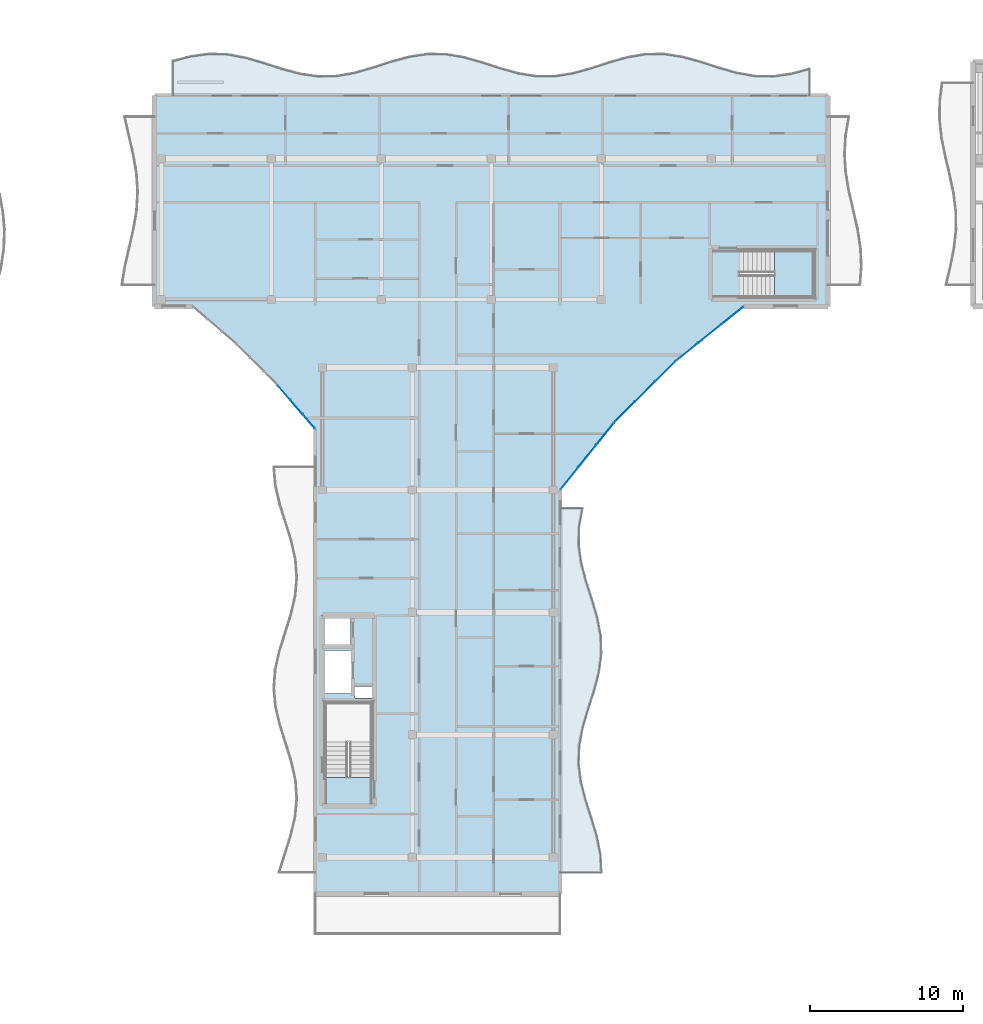
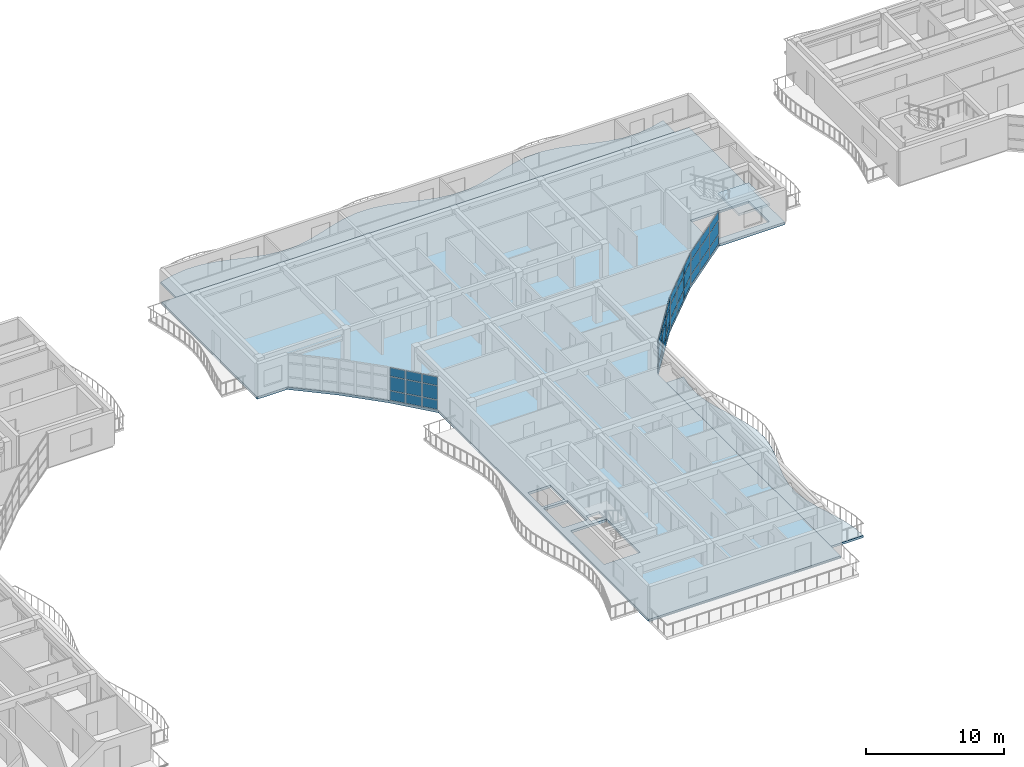
# One storey, part 23 of 49: 36 plates, 4 slabs, 5 elements without a shape of their own.
"""IFC4 building model written with IfcOpenShell, lengths in metres."""

from ifc_helpers import new_model, si_unit, direction, frame, origin, origin_2d, place, context, subcontext, project, spatial, polyline, rectangle, outline, extrude, material, layer, layer_set, type_object, element, aggregate, save


model = new_model("IFC4")

# Units and contexts
model_context = context("Model", 3, precision=1e-05, world=origin(), true_north=direction((0.0, 1.0)))
body_context = subcontext(model_context, "Body", "Model", "MODEL_VIEW")
ifc_project = project(units=[si_unit("LENGTHUNIT", "METRE"), si_unit("AREAUNIT", "SQUARE_METRE"), si_unit("VOLUMEUNIT", "CUBIC_METRE"), si_unit("PLANEANGLEUNIT", "RADIAN"), si_unit("MASSUNIT", "GRAM", prefix="KILO")], contexts=[model_context])

# Site, building, storey
site_placement = place(None, origin())
site = spatial("IfcSite", under=ifc_project, at=site_placement, CompositionType="ELEMENT")
building_placement = place(site_placement, origin())
building = spatial("IfcBuilding", under=site, at=building_placement, Name="Keldmere Railside Commons", CompositionType="ELEMENT")
storey_placement = place(building_placement, frame((0.0, 0.0, 29.760009765625)))
storey = spatial("IfcBuildingStorey", under=building, at=storey_placement, Name="L09", CompositionType="ELEMENT", Elevation=29.760009765625)

# Curtain wall, plates
ifc_material_1 = material(Name="Thermally Broken Aluminium", Category="aluminium")
ifc_layer_1 = layer(ifc_material_1, 0.159912109375, Name="Court Chord Wintergarden CW 4800x2850")
ifc_layer_set_1 = layer_set([ifc_layer_1], Name="Thermally Broken Aluminium")
curtain_wall_type_1 = type_object("IfcCurtainWallType", Name="Court Chord Wintergarden CW 4800x2850", PredefinedType="NOTDEFINED", material=ifc_layer_set_1)
curtain_wall_1_placement = place(storey_placement, origin())
curtain_wall_1 = element("IfcCurtainWall", 1, at=curtain_wall_1_placement, inside=storey, type_object=curtain_wall_type_1, Name="CW-12 CW-L09-139", PredefinedType="NOTDEFINED")
ifc_material_2 = material(Name="Low-E Insulated Double Glazing", Category="glass")
ifc_layer_2 = layer(ifc_material_2, 0.033935546875, Name="Acoustic Laminated Vision Panel 34")
ifc_layer_set_2 = layer_set([ifc_layer_2], Name="Low-E Insulated Double Glazing")
plate_type_1 = type_object("IfcPlateType", Name="Acoustic Laminated Vision Panel 34", PredefinedType="CURTAIN_PANEL", material=ifc_layer_set_2)
plate_1_placement = place(storey_placement, frame((122.951416015625, 91.678955078125, 0.06494140625), z_axis=(0.0, 0.0, 1.0), x_axis=(-0.625768080915, -0.780009172323, 0.0)))
plate_1 = element("IfcPlate", 2, at=plate_1_placement, type_object=plate_type_1, Name="CW-12 panel 1.1", PredefinedType="CURTAIN_PANEL", context=body_context, shape_type="SweptSolid", body=[
    extrude(rectangle(XDim=1.795654296875, YDim=0.033935546875, at=origin_2d()), origin(), (0.0, 0.0, 1.0), 0.802490234375),
])
plate_2_placement = place(storey_placement, frame((122.951416015625, 91.678955078125, 0.932373046875), z_axis=(0.0, 0.0, 1.0), x_axis=(-0.625768080915, -0.780009172323, 0.0)))
plate_2 = element("IfcPlate", 3, at=plate_2_placement, type_object=plate_type_1, Name="CW-12 panel 1.2", PredefinedType="CURTAIN_PANEL", context=body_context, shape_type="SweptSolid", body=[
    extrude(rectangle(XDim=1.795654296875, YDim=0.033935546875, at=origin_2d()), origin(), (0.0, 0.0, 1.0), 1.18505859375),
])
plate_3_placement = place(storey_placement, frame((122.951416015625, 91.678955078125, 2.1826171875), z_axis=(0.0, 0.0, 1.0), x_axis=(-0.625768080915, -0.780009172323, 0.0)))
plate_3 = element("IfcPlate", 4, at=plate_3_placement, type_object=plate_type_1, Name="CW-12 panel 1.3", PredefinedType="CURTAIN_PANEL", context=body_context, shape_type="SweptSolid", body=[
    extrude(rectangle(XDim=1.795654296875, YDim=0.033935546875, at=origin_2d()), origin(), (0.0, 0.0, 1.0), 0.732421875),
])
plate_4_placement = place(storey_placement, frame((121.777099609375, 90.215087890625, 0.06494140625), z_axis=(0.0, 0.0, 1.0), x_axis=(-0.625768080915, -0.780009172323, 0.0)))
plate_4 = element("IfcPlate", 5, at=plate_4_placement, type_object=plate_type_1, Name="CW-12 panel 2.1", PredefinedType="CURTAIN_PANEL", context=body_context, shape_type="SweptSolid", body=[
    extrude(rectangle(XDim=1.828125, YDim=0.033935546875, at=origin_2d()), origin(), (0.0, 0.0, 1.0), 0.802490234375),
])
plate_5_placement = place(storey_placement, frame((121.777099609375, 90.215087890625, 0.932373046875), z_axis=(0.0, 0.0, 1.0), x_axis=(-0.625768080915, -0.780009172323, 0.0)))
plate_5 = element("IfcPlate", 6, at=plate_5_placement, type_object=plate_type_1, Name="CW-12 panel 2.2", PredefinedType="CURTAIN_PANEL", context=body_context, shape_type="SweptSolid", body=[
    extrude(rectangle(XDim=1.828125, YDim=0.033935546875, at=origin_2d()), origin(), (0.0, 0.0, 1.0), 1.18505859375),
])
plate_6_placement = place(storey_placement, frame((121.777099609375, 90.215087890625, 2.1826171875), z_axis=(0.0, 0.0, 1.0), x_axis=(-0.625768080915, -0.780009172323, 0.0)))
plate_6 = element("IfcPlate", 7, at=plate_6_placement, type_object=plate_type_1, Name="CW-12 panel 2.3", PredefinedType="CURTAIN_PANEL", context=body_context, shape_type="SweptSolid", body=[
    extrude(rectangle(XDim=1.828125, YDim=0.033935546875, at=origin_2d()), origin(), (0.0, 0.0, 1.0), 0.732421875),
])
plate_7_placement = place(storey_placement, frame((120.6025390625, 88.7509765625, 0.06494140625), z_axis=(0.0, 0.0, 1.0), x_axis=(-0.625768080915, -0.780009172323, 0.0)))
plate_7 = element("IfcPlate", 8, at=plate_7_placement, type_object=plate_type_1, Name="CW-12 panel 3.1", PredefinedType="CURTAIN_PANEL", context=body_context, shape_type="SweptSolid", body=[
    extrude(rectangle(XDim=1.795654296875, YDim=0.033935546875, at=origin_2d()), origin(), (0.0, 0.0, 1.0), 0.802490234375),
])
plate_8_placement = place(storey_placement, frame((120.6025390625, 88.7509765625, 0.932373046875), z_axis=(0.0, 0.0, 1.0), x_axis=(-0.625768080915, -0.780009172323, 0.0)))
plate_8 = element("IfcPlate", 9, at=plate_8_placement, type_object=plate_type_1, Name="CW-12 panel 3.2", PredefinedType="CURTAIN_PANEL", context=body_context, shape_type="SweptSolid", body=[
    extrude(rectangle(XDim=1.795654296875, YDim=0.033935546875, at=origin_2d()), origin(), (0.0, 0.0, 1.0), 1.18505859375),
])
plate_9_placement = place(storey_placement, frame((120.6025390625, 88.7509765625, 2.1826171875), z_axis=(0.0, 0.0, 1.0), x_axis=(-0.625768080915, -0.780009172323, 0.0)))
plate_9 = element("IfcPlate", 10, at=plate_9_placement, type_object=plate_type_1, Name="CW-12 panel 3.3", PredefinedType="CURTAIN_PANEL", context=body_context, shape_type="SweptSolid", body=[
    extrude(rectangle(XDim=1.795654296875, YDim=0.033935546875, at=origin_2d()), origin(), (0.0, 0.0, 1.0), 0.732421875),
])
aggregate(curtain_wall_1, [plate_1, plate_2, plate_3, plate_4, plate_5, plate_6, plate_7, plate_8, plate_9])

ifc_layer_3 = layer(ifc_material_1, 0.159912109375, Name="Court Chord Wintergarden CW 5400x2850")
ifc_layer_set_3 = layer_set([ifc_layer_3], Name="Thermally Broken Aluminium")
curtain_wall_type_2 = type_object("IfcCurtainWallType", Name="Court Chord Wintergarden CW 5400x2850", PredefinedType="NOTDEFINED", material=ifc_layer_set_3)
curtain_wall_2_placement = place(storey_placement, origin())
curtain_wall_2 = element("IfcCurtainWall", 11, at=curtain_wall_2_placement, inside=storey, type_object=curtain_wall_type_2, Name="CW-13 CW-L09-140", PredefinedType="NOTDEFINED")
ifc_layer_4 = layer(ifc_material_2, 0.031982421875, Name="Clerestory Solar-Control Vision Panel 32")
ifc_layer_set_4 = layer_set([ifc_layer_4], Name="Low-E Insulated Double Glazing")
plate_type_2 = type_object("IfcPlateType", Name="Clerestory Solar-Control Vision Panel 32", PredefinedType="CURTAIN_PANEL", material=ifc_layer_set_4)
plate_10_placement = place(storey_placement, frame((126.88916015625, 95.76513671875, 0.06494140625), z_axis=(0.0, 0.0, 1.0), x_axis=(-0.707106781187, -0.707106781187, 0.0)))
plate_10 = element("IfcPlate", 12, at=plate_10_placement, type_object=plate_type_2, Name="CW-13 panel 1.1", PredefinedType="CURTAIN_PANEL", context=body_context, shape_type="SweptSolid", body=[
    extrude(rectangle(XDim=1.795654296875, YDim=0.031982421875, at=origin_2d()), origin(), (0.0, 0.0, 1.0), 0.802490234375),
])
plate_11_placement = place(storey_placement, frame((126.88916015625, 95.76513671875, 0.932373046875), z_axis=(0.0, 0.0, 1.0), x_axis=(-0.707106781187, -0.707106781187, 0.0)))
plate_11 = element("IfcPlate", 13, at=plate_11_placement, type_object=plate_type_2, Name="CW-13 panel 1.2", PredefinedType="CURTAIN_PANEL", context=body_context, shape_type="SweptSolid", body=[
    extrude(rectangle(XDim=1.795654296875, YDim=0.031982421875, at=origin_2d()), origin(), (0.0, 0.0, 1.0), 1.18505859375),
])
plate_12_placement = place(storey_placement, frame((126.88916015625, 95.76513671875, 2.1826171875), z_axis=(0.0, 0.0, 1.0), x_axis=(-0.707106781187, -0.707106781187, 0.0)))
plate_12 = element("IfcPlate", 14, at=plate_12_placement, type_object=plate_type_2, Name="CW-13 panel 1.3", PredefinedType="CURTAIN_PANEL", context=body_context, shape_type="SweptSolid", body=[
    extrude(rectangle(XDim=1.795654296875, YDim=0.031982421875, at=origin_2d()), origin(), (0.0, 0.0, 1.0), 0.732421875),
])
plate_13_placement = place(storey_placement, frame((125.56201171875, 94.43798828125, 0.06494140625), z_axis=(0.0, 0.0, 1.0), x_axis=(-0.707106781187, -0.707106781187, 0.0)))
plate_13 = element("IfcPlate", 15, at=plate_13_placement, type_object=plate_type_2, Name="CW-13 panel 2.1", PredefinedType="CURTAIN_PANEL", context=body_context, shape_type="SweptSolid", body=[
    extrude(rectangle(XDim=1.828125, YDim=0.031982421875, at=origin_2d()), origin(), (0.0, 0.0, 1.0), 0.802490234375),
])
plate_14_placement = place(storey_placement, frame((125.56201171875, 94.43798828125, 0.932373046875), z_axis=(0.0, 0.0, 1.0), x_axis=(-0.707106781187, -0.707106781187, 0.0)))
plate_14 = element("IfcPlate", 16, at=plate_14_placement, type_object=plate_type_2, Name="CW-13 panel 2.2", PredefinedType="CURTAIN_PANEL", context=body_context, shape_type="SweptSolid", body=[
    extrude(rectangle(XDim=1.828125, YDim=0.031982421875, at=origin_2d()), origin(), (0.0, 0.0, 1.0), 1.18505859375),
])
plate_15_placement = place(storey_placement, frame((125.56201171875, 94.43798828125, 2.1826171875), z_axis=(0.0, 0.0, 1.0), x_axis=(-0.707106781187, -0.707106781187, 0.0)))
plate_15 = element("IfcPlate", 17, at=plate_15_placement, type_object=plate_type_2, Name="CW-13 panel 2.3", PredefinedType="CURTAIN_PANEL", context=body_context, shape_type="SweptSolid", body=[
    extrude(rectangle(XDim=1.828125, YDim=0.031982421875, at=origin_2d()), origin(), (0.0, 0.0, 1.0), 0.732421875),
])
plate_16_placement = place(storey_placement, frame((124.23486328125, 93.11083984375, 0.06494140625), z_axis=(0.0, 0.0, 1.0), x_axis=(-0.707106781187, -0.707106781187, 0.0)))
plate_16 = element("IfcPlate", 18, at=plate_16_placement, type_object=plate_type_2, Name="CW-13 panel 3.1", PredefinedType="CURTAIN_PANEL", context=body_context, shape_type="SweptSolid", body=[
    extrude(rectangle(XDim=1.795654296875, YDim=0.031982421875, at=origin_2d()), origin(), (0.0, 0.0, 1.0), 0.802490234375),
])
plate_17_placement = place(storey_placement, frame((124.23486328125, 93.11083984375, 0.932373046875), z_axis=(0.0, 0.0, 1.0), x_axis=(-0.707106781187, -0.707106781187, 0.0)))
plate_17 = element("IfcPlate", 19, at=plate_17_placement, type_object=plate_type_2, Name="CW-13 panel 3.2", PredefinedType="CURTAIN_PANEL", context=body_context, shape_type="SweptSolid", body=[
    extrude(rectangle(XDim=1.795654296875, YDim=0.031982421875, at=origin_2d()), origin(), (0.0, 0.0, 1.0), 1.18505859375),
])
plate_18_placement = place(storey_placement, frame((124.23486328125, 93.11083984375, 2.1826171875), z_axis=(0.0, 0.0, 1.0), x_axis=(-0.707106781187, -0.707106781187, 0.0)))
plate_18 = element("IfcPlate", 20, at=plate_18_placement, type_object=plate_type_2, Name="CW-13 panel 3.3", PredefinedType="CURTAIN_PANEL", context=body_context, shape_type="SweptSolid", body=[
    extrude(rectangle(XDim=1.795654296875, YDim=0.031982421875, at=origin_2d()), origin(), (0.0, 0.0, 1.0), 0.732421875),
])
aggregate(curtain_wall_2, [plate_10, plate_11, plate_12, plate_13, plate_14, plate_15, plate_16, plate_17, plate_18])

# Stair, slab
ifc_material_3 = material(Name="Concrete H-30 (C30/37)", Category="concrete")
stair_type = type_object("IfcStairType", Name="Basement Garage Dogleg Escape Stair 1450", PredefinedType="HALF_TURN_STAIR", material=ifc_material_3)
stair_placement = place(storey_placement, origin())
stair = element("IfcStair", 21, at=stair_placement, inside=storey, type_object=stair_type, Name="L09 Block B Secondary Escape Stair 2", PredefinedType="HALF_TURN_STAIR")
ifc_layer_5 = layer(ifc_material_3, 0.199951171875, Name="Enclosed Stair Landing Slab 200")
ifc_layer_set_5 = layer_set([ifc_layer_5], Name="Concrete H-30 (C30/37)")
slab_type_1 = type_object("IfcSlabType", Name="Enclosed Stair Landing Slab 200", PredefinedType="LANDING", material=ifc_layer_set_5)
slab_1_placement = place(storey_placement, frame((0.0, 0.0, 1.39990234375)))
slab_1 = element("IfcSlab", 22, at=slab_1_placement, type_object=slab_type_1, Name="ST-B2 landing 1", PredefinedType="LANDING", context=body_context, shape_type="SweptSolid", body=[
    extrude(outline(polyline([(134.02001953125, 100.60009765625), (136.60009765625, 100.60009765625), (136.60009765625, 103.64990234375), (134.02001953125, 103.64990234375), (134.02001953125, 100.60009765625)])), origin(), (0.0, 0.0, 1.0), 0.2001953125),
])
aggregate(stair, [slab_1])

# Curtain wall, plates
curtain_wall_3_placement = place(storey_placement, origin())
curtain_wall_3 = element("IfcCurtainWall", 23, at=curtain_wall_3_placement, inside=storey, type_object=curtain_wall_type_1, Name="CW-12 CW-L09-141", PredefinedType="NOTDEFINED")
ifc_layer_6 = layer(ifc_material_2, 0.028076171875, Name="Low-E Vision Glazing Panel 28")
ifc_layer_set_6 = layer_set([ifc_layer_6], Name="Low-E Insulated Double Glazing")
plate_type_3 = type_object("IfcPlateType", Name="Low-E Vision Glazing Panel 28", PredefinedType="CURTAIN_PANEL", material=ifc_layer_set_6)
plate_19_placement = place(storey_placement, frame((131.2490234375, 99.3974609375, 0.06494140625), z_axis=(0.0, 0.0, 1.0), x_axis=(-0.780009172323, -0.625768080915, 0.0)))
plate_19 = element("IfcPlate", 24, at=plate_19_placement, type_object=plate_type_3, Name="CW-12 panel 1.1", PredefinedType="CURTAIN_PANEL", context=body_context, shape_type="SweptSolid", body=[
    extrude(rectangle(XDim=1.795654296875, YDim=0.028076171875, at=origin_2d()), origin(), (0.0, 0.0, 1.0), 0.802490234375),
])
plate_20_placement = place(storey_placement, frame((131.2490234375, 99.3974609375, 0.932373046875), z_axis=(0.0, 0.0, 1.0), x_axis=(-0.780009172323, -0.625768080915, 0.0)))
plate_20 = element("IfcPlate", 25, at=plate_20_placement, type_object=plate_type_3, Name="CW-12 panel 1.2", PredefinedType="CURTAIN_PANEL", context=body_context, shape_type="SweptSolid", body=[
    extrude(rectangle(XDim=1.795654296875, YDim=0.028076171875, at=origin_2d()), origin(), (0.0, 0.0, 1.0), 1.18505859375),
])
plate_21_placement = place(storey_placement, frame((131.2490234375, 99.3974609375, 2.1826171875), z_axis=(0.0, 0.0, 1.0), x_axis=(-0.780009172323, -0.625768080915, 0.0)))
plate_21 = element("IfcPlate", 26, at=plate_21_placement, type_object=plate_type_3, Name="CW-12 panel 1.3", PredefinedType="CURTAIN_PANEL", context=body_context, shape_type="SweptSolid", body=[
    extrude(rectangle(XDim=1.795654296875, YDim=0.028076171875, at=origin_2d()), origin(), (0.0, 0.0, 1.0), 0.732421875),
])
plate_22_placement = place(storey_placement, frame((129.784912109375, 98.222900390625, 0.06494140625), z_axis=(0.0, 0.0, 1.0), x_axis=(-0.780009172323, -0.625768080915, 0.0)))
plate_22 = element("IfcPlate", 27, at=plate_22_placement, type_object=plate_type_3, Name="CW-12 panel 2.1", PredefinedType="CURTAIN_PANEL", context=body_context, shape_type="SweptSolid", body=[
    extrude(rectangle(XDim=1.828125, YDim=0.028076171875, at=origin_2d()), origin(), (0.0, 0.0, 1.0), 0.802490234375),
])
plate_23_placement = place(storey_placement, frame((129.784912109375, 98.222900390625, 0.932373046875), z_axis=(0.0, 0.0, 1.0), x_axis=(-0.780009172323, -0.625768080915, 0.0)))
plate_23 = element("IfcPlate", 28, at=plate_23_placement, type_object=plate_type_3, Name="CW-12 panel 2.2", PredefinedType="CURTAIN_PANEL", context=body_context, shape_type="SweptSolid", body=[
    extrude(rectangle(XDim=1.828125, YDim=0.028076171875, at=origin_2d()), origin(), (0.0, 0.0, 1.0), 1.18505859375),
])
plate_24_placement = place(storey_placement, frame((129.784912109375, 98.222900390625, 2.1826171875), z_axis=(0.0, 0.0, 1.0), x_axis=(-0.780009172323, -0.625768080915, 0.0)))
plate_24 = element("IfcPlate", 29, at=plate_24_placement, type_object=plate_type_3, Name="CW-12 panel 2.3", PredefinedType="CURTAIN_PANEL", context=body_context, shape_type="SweptSolid", body=[
    extrude(rectangle(XDim=1.828125, YDim=0.028076171875, at=origin_2d()), origin(), (0.0, 0.0, 1.0), 0.732421875),
])
plate_25_placement = place(storey_placement, frame((128.321044921875, 97.048583984375, 0.06494140625), z_axis=(0.0, 0.0, 1.0), x_axis=(-0.780009172323, -0.625768080915, 0.0)))
plate_25 = element("IfcPlate", 30, at=plate_25_placement, type_object=plate_type_3, Name="CW-12 panel 3.1", PredefinedType="CURTAIN_PANEL", context=body_context, shape_type="SweptSolid", body=[
    extrude(rectangle(XDim=1.795654296875, YDim=0.028076171875, at=origin_2d()), origin(), (0.0, 0.0, 1.0), 0.802490234375),
])
plate_26_placement = place(storey_placement, frame((128.321044921875, 97.048583984375, 0.932373046875), z_axis=(0.0, 0.0, 1.0), x_axis=(-0.780009172323, -0.625768080915, 0.0)))
plate_26 = element("IfcPlate", 31, at=plate_26_placement, type_object=plate_type_3, Name="CW-12 panel 3.2", PredefinedType="CURTAIN_PANEL", context=body_context, shape_type="SweptSolid", body=[
    extrude(rectangle(XDim=1.795654296875, YDim=0.028076171875, at=origin_2d()), origin(), (0.0, 0.0, 1.0), 1.18505859375),
])
plate_27_placement = place(storey_placement, frame((128.321044921875, 97.048583984375, 2.1826171875), z_axis=(0.0, 0.0, 1.0), x_axis=(-0.780009172323, -0.625768080915, 0.0)))
plate_27 = element("IfcPlate", 32, at=plate_27_placement, type_object=plate_type_3, Name="CW-12 panel 3.3", PredefinedType="CURTAIN_PANEL", context=body_context, shape_type="SweptSolid", body=[
    extrude(rectangle(XDim=1.795654296875, YDim=0.028076171875, at=origin_2d()), origin(), (0.0, 0.0, 1.0), 0.732421875),
])
aggregate(curtain_wall_3, [plate_19, plate_20, plate_21, plate_22, plate_23, plate_24, plate_25, plate_26, plate_27])

curtain_wall_4_placement = place(storey_placement, origin())
curtain_wall_4 = element("IfcCurtainWall", 33, at=curtain_wall_4_placement, inside=storey, type_object=curtain_wall_type_1, Name="CW-12 CW-L09-144", PredefinedType="NOTDEFINED")
plate_28_placement = place(storey_placement, frame((103.57763671875, 92.488525390625, 0.06494140625), z_axis=(0.0, 0.0, 1.0), x_axis=(-0.653881741053, 0.756596767584, 0.0)))
plate_28 = element("IfcPlate", 34, at=plate_28_placement, type_object=plate_type_3, Name="CW-12 panel 1.1", PredefinedType="CURTAIN_PANEL", context=body_context, shape_type="SweptSolid", body=[
    extrude(rectangle(XDim=1.16162109375, YDim=0.028076171875, at=origin_2d()), origin(), (0.0, 0.0, 1.0), 0.802490234375),
])
plate_29_placement = place(storey_placement, frame((103.57763671875, 92.488525390625, 0.932373046875), z_axis=(0.0, 0.0, 1.0), x_axis=(-0.653881741053, 0.756596767584, 0.0)))
plate_29 = element("IfcPlate", 35, at=plate_29_placement, type_object=plate_type_3, Name="CW-12 panel 1.2", PredefinedType="CURTAIN_PANEL", context=body_context, shape_type="SweptSolid", body=[
    extrude(rectangle(XDim=1.16162109375, YDim=0.028076171875, at=origin_2d()), origin(), (0.0, 0.0, 1.0), 1.18505859375),
])
plate_30_placement = place(storey_placement, frame((103.57763671875, 92.488525390625, 2.1826171875), z_axis=(0.0, 0.0, 1.0), x_axis=(-0.653881741053, 0.756596767584, 0.0)))
plate_30 = element("IfcPlate", 36, at=plate_30_placement, type_object=plate_type_3, Name="CW-12 panel 1.3", PredefinedType="CURTAIN_PANEL", context=body_context, shape_type="SweptSolid", body=[
    extrude(rectangle(XDim=1.16162109375, YDim=0.028076171875, at=origin_2d()), origin(), (0.0, 0.0, 1.0), 0.732421875),
])
plate_31_placement = place(storey_placement, frame((102.764892578125, 93.428955078125, 0.06494140625), z_axis=(0.0, 0.0, 1.0), x_axis=(-0.653881741053, 0.756596767584, 0.0)))
plate_31 = element("IfcPlate", 37, at=plate_31_placement, type_object=plate_type_3, Name="CW-12 panel 2.1", PredefinedType="CURTAIN_PANEL", context=body_context, shape_type="SweptSolid", body=[
    extrude(rectangle(XDim=1.194091796875, YDim=0.028076171875, at=origin_2d()), origin(), (0.0, 0.0, 1.0), 0.802490234375),
])
plate_32_placement = place(storey_placement, frame((102.764892578125, 93.428955078125, 0.932373046875), z_axis=(0.0, 0.0, 1.0), x_axis=(-0.653881741053, 0.756596767584, 0.0)))
plate_32 = element("IfcPlate", 38, at=plate_32_placement, type_object=plate_type_3, Name="CW-12 panel 2.2", PredefinedType="CURTAIN_PANEL", context=body_context, shape_type="SweptSolid", body=[
    extrude(rectangle(XDim=1.194091796875, YDim=0.028076171875, at=origin_2d()), origin(), (0.0, 0.0, 1.0), 1.18505859375),
])
plate_33_placement = place(storey_placement, frame((102.764892578125, 93.428955078125, 2.1826171875), z_axis=(0.0, 0.0, 1.0), x_axis=(-0.653881741053, 0.756596767584, 0.0)))
plate_33 = element("IfcPlate", 39, at=plate_33_placement, type_object=plate_type_3, Name="CW-12 panel 2.3", PredefinedType="CURTAIN_PANEL", context=body_context, shape_type="SweptSolid", body=[
    extrude(rectangle(XDim=1.194091796875, YDim=0.028076171875, at=origin_2d()), origin(), (0.0, 0.0, 1.0), 0.732421875),
])
plate_34_placement = place(storey_placement, frame((101.952392578125, 94.369384765625, 0.06494140625), z_axis=(0.0, 0.0, 1.0), x_axis=(-0.653881741053, 0.756596767584, 0.0)))
plate_34 = element("IfcPlate", 40, at=plate_34_placement, type_object=plate_type_3, Name="CW-12 panel 3.1", PredefinedType="CURTAIN_PANEL", context=body_context, shape_type="SweptSolid", body=[
    extrude(rectangle(XDim=1.16162109375, YDim=0.028076171875, at=origin_2d()), origin(), (0.0, 0.0, 1.0), 0.802490234375),
])
plate_35_placement = place(storey_placement, frame((101.952392578125, 94.369384765625, 0.932373046875), z_axis=(0.0, 0.0, 1.0), x_axis=(-0.653881741053, 0.756596767584, 0.0)))
plate_35 = element("IfcPlate", 41, at=plate_35_placement, type_object=plate_type_3, Name="CW-12 panel 3.2", PredefinedType="CURTAIN_PANEL", context=body_context, shape_type="SweptSolid", body=[
    extrude(rectangle(XDim=1.16162109375, YDim=0.028076171875, at=origin_2d()), origin(), (0.0, 0.0, 1.0), 1.18505859375),
])
plate_36_placement = place(storey_placement, frame((101.952392578125, 94.369384765625, 2.1826171875), z_axis=(0.0, 0.0, 1.0), x_axis=(-0.653881741053, 0.756596767584, 0.0)))
plate_36 = element("IfcPlate", 42, at=plate_36_placement, type_object=plate_type_3, Name="CW-12 panel 3.3", PredefinedType="CURTAIN_PANEL", context=body_context, shape_type="SweptSolid", body=[
    extrude(rectangle(XDim=1.16162109375, YDim=0.028076171875, at=origin_2d()), origin(), (0.0, 0.0, 1.0), 0.732421875),
])
aggregate(curtain_wall_4, [plate_28, plate_29, plate_30, plate_31, plate_32, plate_33, plate_34, plate_35, plate_36])

# Slabs
ifc_layer_7 = layer(ifc_material_3, 0.219970703125, Name="Residential Flat Slab 220")
ifc_layer_set_7 = layer_set([ifc_layer_7], Name="Concrete H-30 (C30/37)")
slab_type_2 = type_object("IfcSlabType", Name="Residential Flat Slab 220", PredefinedType="FLOOR", material=ifc_layer_set_7)
slab_2_placement = place(storey_placement, frame((0.0, 0.0, -0.219970703125)))
element("IfcSlab", 43, at=slab_2_placement, inside=storey, type_object=slab_type_2, Name="FS-2 BLKB-L09-046", PredefinedType="FLOOR", context=body_context, shape_type="SweptSolid", body=[
    extrude(outline(polyline([(104.0, 61.60009765625), (120.0, 61.60009765625), (120.0, 88.0), (123.553955078125, 92.429931640625), (127.570068359375, 96.446044921875), (132.0, 100.0), (137.5, 100.0), (137.5, 113.800048828125), (93.5, 113.800048828125), (93.5, 100.0), (96.0, 100.0), (98.85791015625, 97.530029296875), (101.530029296875, 94.85791015625), (104.0, 92.0), (104.0, 61.60009765625)]), holes=[polyline([(107.675048828125, 69.22509765625), (104.675048828125, 69.22509765625), (104.675048828125, 74.074951171875), (107.675048828125, 74.074951171875), (107.675048828125, 69.22509765625)]), polyline([(106.39990234375, 74.699951171875), (104.39990234375, 74.699951171875), (104.39990234375, 77.5), (106.39990234375, 77.5), (106.39990234375, 74.699951171875)]), polyline([(106.300048828125, 77.75), (104.39990234375, 77.75), (104.39990234375, 79.800048828125), (106.300048828125, 79.800048828125), (106.300048828125, 77.75)]), polyline([(107.699951171875, 74.419921875), (106.60009765625, 74.419921875), (106.60009765625, 75.159912109375), (107.699951171875, 75.159912109375), (107.699951171875, 74.419921875)]), polyline([(131.72509765625, 100.625), (131.72509765625, 103.625), (136.574951171875, 103.625), (136.574951171875, 100.625), (131.72509765625, 100.625)])]), origin(), (0.0, 0.0, 1.0), 0.219970703125),
])
ifc_material_4 = material(Name="White Precast Concrete H-35 (C35/45)", Category="concrete")
ifc_layer_8 = layer(ifc_material_4, 0.179931640625, Name="Sinusoidal Wave Balcony Slab 180")
ifc_layer_set_8 = layer_set([ifc_layer_8], Name="White Precast Concrete H-35 (C35/45)")
slab_type_3 = type_object("IfcSlabType", Name="Sinusoidal Wave Balcony Slab 180", PredefinedType="FLOOR", material=ifc_layer_set_8)
slab_3_placement = place(storey_placement, frame((0.0, 0.0, -0.179931640625)))
element("IfcSlab", 44, at=slab_3_placement, inside=storey, type_object=slab_type_3, Name="WB-1 B L09 N Wave Balcony", PredefinedType="FLOOR", context=body_context, shape_type="SweptSolid", body=[
    extrude(outline(polyline([(94.699951171875, 113.800048828125), (95.888671875, 113.800048828125), (97.0771484375, 113.800048828125), (98.265625, 113.800048828125), (99.454345703125, 113.800048828125), (100.642822265625, 113.800048828125), (101.831298828125, 113.800048828125), (103.02001953125, 113.800048828125), (104.20849609375, 113.800048828125), (105.397216796875, 113.800048828125), (106.585693359375, 113.800048828125), (107.7744140625, 113.800048828125), (108.962890625, 113.800048828125), (110.1513671875, 113.800048828125), (111.340087890625, 113.800048828125), (112.528564453125, 113.800048828125), (113.717041015625, 113.800048828125), (114.90576171875, 113.800048828125), (116.09423828125, 113.800048828125), (117.282958984375, 113.800048828125), (118.471435546875, 113.800048828125), (119.659912109375, 113.800048828125), (120.8486328125, 113.800048828125), (122.037109375, 113.800048828125), (123.2255859375, 113.800048828125), (124.414306640625, 113.800048828125), (125.602783203125, 113.800048828125), (126.79150390625, 113.800048828125), (127.97998046875, 113.800048828125), (129.168701171875, 113.800048828125), (130.357177734375, 113.800048828125), (131.545654296875, 113.800048828125), (132.734375, 113.800048828125), (133.9228515625, 113.800048828125), (135.111328125, 113.800048828125), (136.300048828125, 113.800048828125), (136.300048828125, 115.506103515625), (135.111328125, 115.1865234375), (133.9228515625, 115.015380859375), (132.734375, 115.037109375), (131.545654296875, 115.24658203125), (130.357177734375, 115.58837890625), (129.168701171875, 115.97265625), (127.97998046875, 116.29833984375), (126.79150390625, 116.47998046875), (125.602783203125, 116.469482421875), (124.414306640625, 116.269775390625), (123.2255859375, 115.93359375), (122.037109375, 115.548828125), (120.8486328125, 115.21728515625), (119.659912109375, 115.025634765625), (118.471435546875, 115.0244140625), (117.282958984375, 115.214111328125), (116.09423828125, 115.544921875), (114.90576171875, 115.929443359375), (113.717041015625, 116.266845703125), (112.528564453125, 116.46826171875), (111.340087890625, 116.480712890625), (110.1513671875, 116.30126953125), (108.962890625, 115.9765625), (107.7744140625, 115.592529296875), (106.585693359375, 115.249755859375), (105.397216796875, 115.03857421875), (104.20849609375, 115.014404296875), (103.02001953125, 115.183837890625), (101.831298828125, 115.502197265625), (100.642822265625, 115.885498046875), (99.454345703125, 116.2333984375), (98.265625, 116.4541015625), (97.0771484375, 116.489501953125), (95.888671875, 116.33056640625), (94.699951171875, 116.01904296875), (94.699951171875, 113.800048828125)])), origin(), (0.0, 0.0, 1.0), 0.179931640625),
])
slab_4_placement = place(storey_placement, frame((0.0, 0.0, -0.179931640625)))
element("IfcSlab", 45, at=slab_4_placement, inside=storey, type_object=slab_type_3, Name="WB-1 B L09 CE Wave Balcony", PredefinedType="FLOOR", context=body_context, shape_type="SweptSolid", body=[
    extrude(outline(polyline([(122.69580078125, 63.0), (122.63623046875, 64.18994140625), (122.395751953125, 65.3798828125), (122.03759765625, 66.570068359375), (121.656494140625, 67.760009765625), (121.352783203125, 68.949951171875), (121.206298828125, 70.139892578125), (121.256103515625, 71.330078125), (121.48876953125, 72.52001953125), (121.843017578125, 73.7099609375), (122.225341796875, 74.89990234375), (122.535400390625, 76.090087890625), (122.69091796875, 77.280029296875), (122.651123046875, 78.469970703125), (122.426513671875, 79.659912109375), (122.076416015625, 80.85009765625), (121.693115234375, 82.0400390625), (121.377197265625, 83.22998046875), (121.21240234375, 84.419921875), (121.2421875, 85.610107421875), (121.45849609375, 86.800048828125), (120.0, 86.800048828125), (120.0, 85.610107421875), (120.0, 84.419921875), (120.0, 83.22998046875), (120.0, 82.0400390625), (120.0, 80.85009765625), (120.0, 79.659912109375), (120.0, 78.469970703125), (120.0, 77.280029296875), (120.0, 76.090087890625), (120.0, 74.89990234375), (120.0, 73.7099609375), (120.0, 72.52001953125), (120.0, 71.330078125), (120.0, 70.139892578125), (120.0, 68.949951171875), (120.0, 67.760009765625), (120.0, 66.570068359375), (120.0, 65.3798828125), (120.0, 64.18994140625), (120.0, 63.0), (122.69580078125, 63.0)])), origin(), (0.0, 0.0, 1.0), 0.179931640625),
])

save(model, "model.ifc")
